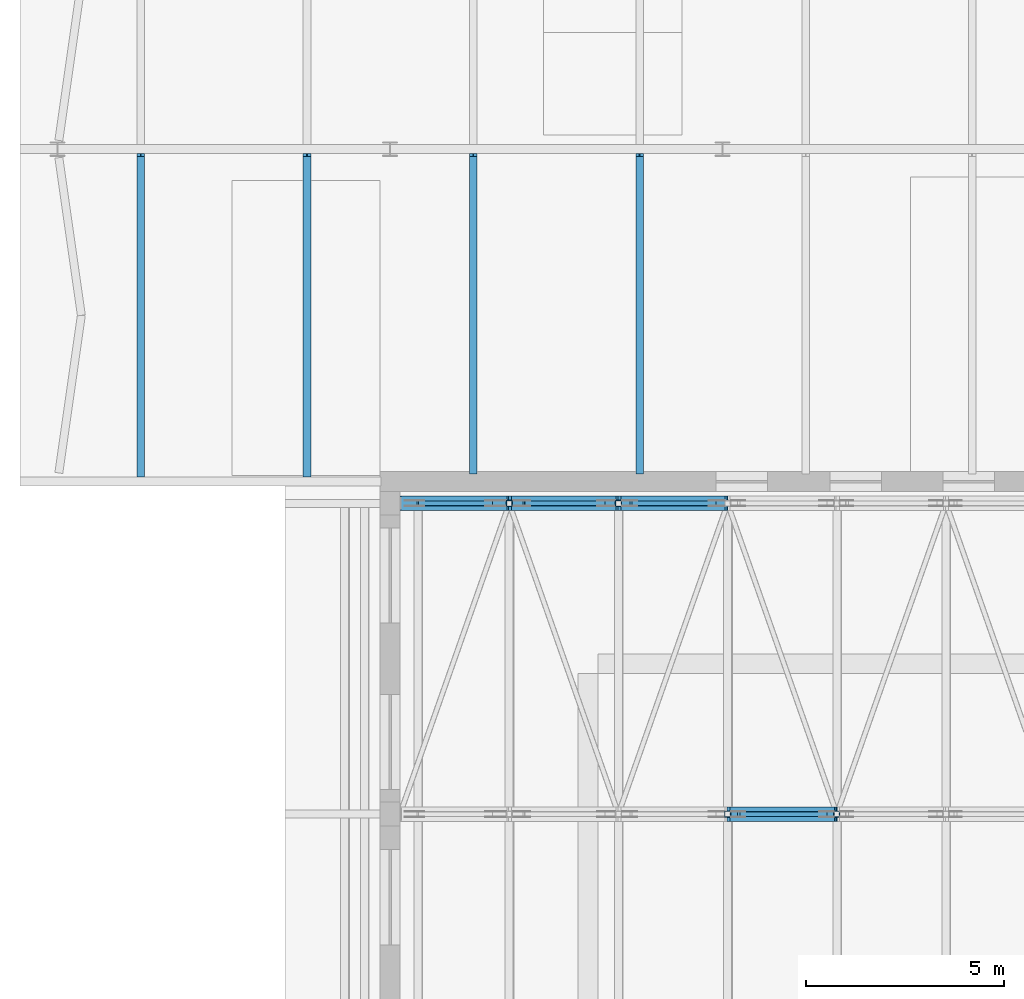
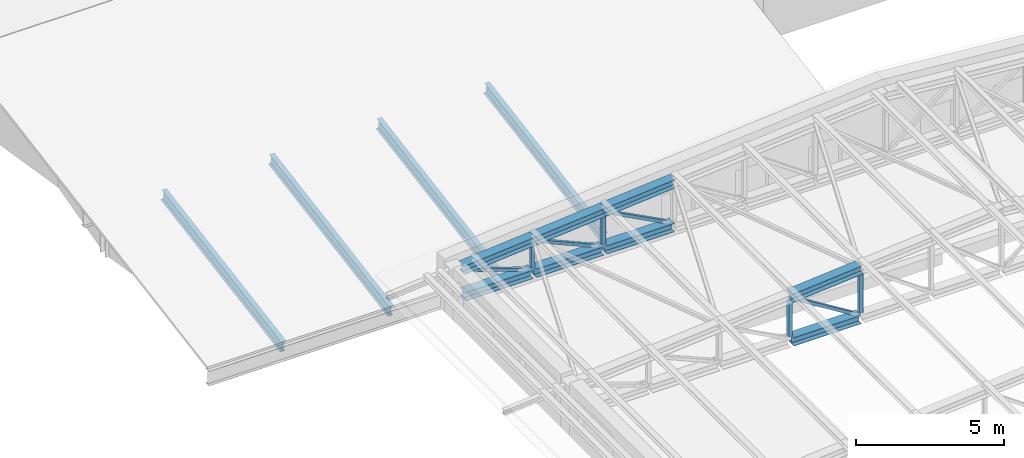
# One storey, part 17 of 60: 16 members, 4 beams.
"""IFC4 building model written with IfcOpenShell, lengths in metres."""

import ifcopenshell
import ifcopenshell.guid

model = None  # the IFC model being written
_history = None  # IfcOwnerHistory: only IFC2X3 demands one
_inside = {}  # id of a spatial element -> (the spatial element, [elements in it])
_under = {}  # id of a project, library or spatial element -> (it, [spatial elements below it])
_declared = {}  # id of a project -> (the project, [libraries it declares])
_typed = {}  # id of a type object -> (the type object, [elements of that type])
_made_of = {}  # id of a material, layer set ... -> (it, [elements and type objects made of it])


def new_model(schema):
    """Start an empty IFC model of exactly this schema.

    Asked for "IFC4X3", IfcOpenShell would pick the latest addendum, in which some entities
    have other attributes; the version numbers below select the first issue.
    IFC2X3 requires an IfcOwnerHistory on every rooted entity: one is made here for all.
    """
    global model, _history
    if schema == "IFC4X3":
        model = ifcopenshell.file(schema_version=(4, 3, 0, 0))
    else:
        model = ifcopenshell.file(schema=schema)
    _inside.clear()
    _under.clear()
    _declared.clear()
    _typed.clear()
    _made_of.clear()
    _history = None
    if model.schema == "IFC2X3":
        org = make("IfcOrganization", Name="unknown")
        user = make(
            "IfcPersonAndOrganization",
            ThePerson=make("IfcPerson", FamilyName="unknown"),
            TheOrganization=org,
        )
        app = make(
            "IfcApplication",
            ApplicationDeveloper=org,
            Version="unknown",
            ApplicationFullName="unknown",
            ApplicationIdentifier="unknown",
        )
        _history = make(
            "IfcOwnerHistory",
            OwningUser=user,
            OwningApplication=app,
            ChangeAction="ADDED",
            CreationDate=0,
        )
    return model


def make(cls, **values):
    """One entity of the class cls with the attributes given. An attribute that is None is left unset."""
    return model.create_entity(
        cls, **{name: value for name, value in values.items() if value is not None}
    )


def rooted(cls, **values):
    """An entity with a GlobalId (a new one), such as an element, a storey or a relation."""
    return make(cls, GlobalId=ifcopenshell.guid.new(), OwnerHistory=_history, **values)


def si_unit(unit_type, name, prefix=None):
    """IfcSIUnit, for example si_unit("LENGTHUNIT", "METRE", prefix="MILLI")."""
    return make("IfcSIUnit", UnitType=unit_type, Prefix=prefix, Name=name)


def assignment(units):
    """IfcUnitAssignment: the units of a project."""
    return None if units is None else make("IfcUnitAssignment", Units=units)


def point(xyz):
    """IfcCartesianPoint."""
    return None if xyz is None else make("IfcCartesianPoint", Coordinates=xyz)


def direction(xyz):
    """IfcDirection."""
    return None if xyz is None else make("IfcDirection", DirectionRatios=xyz)


def frame(location, z_axis=None, x_axis=None):
    """IfcAxis2Placement3D, a coordinate frame: its origin and axes. An axis left out is left unset."""
    return make(
        "IfcAxis2Placement3D",
        Location=point(location),
        Axis=direction(z_axis),
        RefDirection=direction(x_axis),
    )


def frame_2d(location, x_axis=None):
    """IfcAxis2Placement2D, a coordinate frame in the plane: its origin and x axis."""
    return make(
        "IfcAxis2Placement2D", Location=point(location), RefDirection=direction(x_axis)
    )


def origin():
    """The frame at (0, 0, 0) with its axes left unset."""
    return frame((0.0, 0.0, 0.0))


def origin_2d():
    """The frame at (0, 0) in the plane with its x axis left unset."""
    return frame_2d((0.0, 0.0))


def place(relative_to, where):
    """IfcLocalPlacement: puts the frame where relative to a parent placement (None: the world)."""
    return make(
        "IfcLocalPlacement", PlacementRelTo=relative_to, RelativePlacement=where
    )


def context(
    kind, dimensions, precision=None, world=None, true_north=None, identifier=None
):
    """IfcGeometricRepresentationContext, for example the 3D "Model" context."""
    return make(
        "IfcGeometricRepresentationContext",
        ContextIdentifier=identifier,
        ContextType=kind,
        CoordinateSpaceDimension=dimensions,
        Precision=precision,
        WorldCoordinateSystem=world,
        TrueNorth=true_north,
    )


def subcontext(parent, identifier, kind, view, scale=None):
    """IfcGeometricRepresentationSubContext, for example "Body" below "Model"."""
    return make(
        "IfcGeometricRepresentationSubContext",
        ContextIdentifier=identifier,
        ContextType=kind,
        ParentContext=parent,
        TargetScale=scale,
        TargetView=view,
    )


def project(units=None, contexts=None):
    """IfcProject with its units and contexts."""
    return rooted(
        "IfcProject",
        Name="project",
        RepresentationContexts=contexts,
        UnitsInContext=assignment(units),
    )


def spatial(cls, under=None, at=None, **own):
    """A site, building, storey or space (cls), placed at a placement, below another one or the project."""
    s = rooted(cls, ObjectPlacement=at, **own)
    if under is not None:
        _under.setdefault(under.id(), (under, []))[1].append(s)
    return s


def profile(cls, at=None, kind="AREA", **sizes):
    """A parametric profile (cls). Its sizes go by their IFC names, for example OverallWidth=200.0."""
    return make(cls, ProfileType=kind, Position=at, **sizes)


def hollow_rectangle(**sizes):
    """IfcRectangleHollowProfileDef."""
    return profile("IfcRectangleHollowProfileDef", **sizes)


def i_section(**sizes):
    """IfcIShapeProfileDef."""
    return profile("IfcIShapeProfileDef", **sizes)


def extrude(swept, where, along, depth):
    """IfcExtrudedAreaSolid: the profile swept, set in the frame where, extruded along a direction by depth."""
    return make(
        "IfcExtrudedAreaSolid",
        SweptArea=swept,
        Position=where,
        ExtrudedDirection=direction(along),
        Depth=depth,
    )


def shape(context_of_items, identifier, shape_type, items):
    """IfcShapeRepresentation: the items that make up one representation, for example the "Body"."""
    return make(
        "IfcShapeRepresentation",
        ContextOfItems=context_of_items,
        RepresentationIdentifier=identifier,
        RepresentationType=shape_type,
        Items=items,
    )


def material(Name=None, Category=None):
    """IfcMaterial."""
    return make("IfcMaterial", Name=Name, Category=Category)


def material_profile(
    of_material, cross_section, Name=None, Category=None, Priority=None
):
    """IfcMaterialProfile: a cross section and its material."""
    return make(
        "IfcMaterialProfile",
        Name=Name,
        Material=of_material,
        Profile=cross_section,
        Priority=Priority,
        Category=Category,
    )


def profile_set(profiles, Name=None, composite=None):
    """IfcMaterialProfileSet."""
    return make(
        "IfcMaterialProfileSet",
        Name=Name,
        MaterialProfiles=profiles,
        CompositeProfile=composite,
    )


def made_of(thing, what):
    """Note that an element or type object is made of a material, layer set ...; save() writes the relation."""
    if what is not None:
        _made_of.setdefault(what.id(), (what, []))[1].append(thing)
    return thing


def type_object(cls, material=None, **own):
    """A type object (cls), such as IfcWallType, which elements share."""
    return made_of(rooted(cls, **own), material)


def element(
    cls,
    number,
    at=None,
    inside=None,
    cuts=None,
    type_object=None,
    material=None,
    context=None,
    identifier="Body",
    shape_type=None,
    held_by="IfcProductDefinitionShape",
    body=None,
    shapes=None,
    **own,
):
    """One element of the class cls, such as IfcWall. Its Tag is "e" and its number.

    at: its placement. inside: the storey or other place that contains it. cuts: it is an
    opening in that element (IfcRelVoidsElement). A single representation is given by context,
    identifier, shape_type and body (its items); several are given by shapes. held_by: the class
    of the entity that holds the representations. save() writes the other relations.
    """
    e = rooted(cls, Tag="e%d" % number, ObjectPlacement=at, **own)
    if body is not None:
        shapes = [shape(context, identifier, shape_type, body)]
    if shapes is not None:
        e.Representation = make(held_by, Representations=shapes)
    if inside is not None:
        _inside.setdefault(inside.id(), (inside, []))[1].append(e)
    if cuts is not None:
        rooted(
            "IfcRelVoidsElement", RelatingBuildingElement=cuts, RelatedOpeningElement=e
        )
    if type_object is not None:
        _typed.setdefault(type_object.id(), (type_object, []))[1].append(e)
    return made_of(e, material)


def aggregate(whole, parts):
    """IfcRelAggregates: a whole, such as a stair, and the parts it consists of."""
    return rooted("IfcRelAggregates", RelatingObject=whole, RelatedObjects=parts)


def save(model, path):
    """Write the relations noted so far, then the file.

    IfcRelAggregates (storeys below a building ...), IfcRelContainedInSpatialStructure (elements
    in a storey), IfcRelDefinesByType, IfcRelAssociatesMaterial and IfcRelDeclares: one each for
    every whole, place, type object, material and project.
    """
    for whole, parts in _under.values():
        aggregate(whole, parts)
    for where, things in _inside.values():
        rooted(
            "IfcRelContainedInSpatialStructure",
            RelatedElements=things,
            RelatingStructure=where,
        )
    for kind, things in _typed.values():
        rooted("IfcRelDefinesByType", RelatedObjects=things, RelatingType=kind)
    for what, things in _made_of.values():
        rooted("IfcRelAssociatesMaterial", RelatedObjects=things, RelatingMaterial=what)
    for by, libraries in _declared.values():
        rooted("IfcRelDeclares", RelatingContext=by, RelatedDefinitions=libraries)
    model.write(path)


model = new_model("IFC4")

# Units and contexts
model_context = context("Model", 3, precision=1e-05, world=origin(), true_north=direction((0.0, 1.0)))
body_context = subcontext(model_context, "Body", "Model", "MODEL_VIEW")
ifc_project = project(units=[si_unit("LENGTHUNIT", "METRE"), si_unit("AREAUNIT", "SQUARE_METRE"), si_unit("VOLUMEUNIT", "CUBIC_METRE"), si_unit("PLANEANGLEUNIT", "RADIAN"), si_unit("MASSUNIT", "GRAM", prefix="KILO")], contexts=[model_context])

# Site, building, storey
site_placement = place(None, origin())
site = spatial("IfcSite", under=ifc_project, at=site_placement, CompositionType="ELEMENT")
building_placement = place(site_placement, origin())
building = spatial("IfcBuilding", under=site, at=building_placement, Name="Ljudholm Concert House", CompositionType="ELEMENT")
storey_placement = place(building_placement, frame((0.0, 0.0, 15.0)))
storey = spatial("IfcBuildingStorey", under=building, at=storey_placement, Name="L03", CompositionType="ELEMENT", Elevation=15.0)

# Beams
ifc_material_1 = material(Name="Steel ASTM A992", Category="steel")
ifc_material_profile_1 = material_profile(ifc_material_1, i_section(OverallWidth=0.1904296875, OverallDepth=0.457275390625, WebThickness=0.009033203125, FlangeThickness=0.014404296875, FilletRadius=0.01025390625, at=origin_2d()), Name="W18X50")
ifc_profile_set_1 = profile_set([ifc_material_profile_1], Name="Steel ASTM A992")
beam_type = type_object("IfcBeamType", Name="STEEL BEAM W18X50", PredefinedType="BEAM", material=ifc_profile_set_1)
for number, where, z_axis, x_axis, name in (
    (1, (6.10009765625, 46.15283203125, 0.4248046875), (0.0, 0.985739432849, 0.168278847532), (-1.0, 0.0, 0.0), "Roof rafter"),
    (2, (10.300048828125, 46.15283203125, 0.4248046875), (0.0, 0.985739432849, 0.168278847532), (-1.0, 0.0, 0.0), "Roof rafter"),
):
    element("IfcBeam", number, at=place(storey_placement, frame(where, z_axis=z_axis, x_axis=x_axis)), inside=storey, type_object=beam_type, Name=name, PredefinedType="BEAM", context=body_context, shape_type="SweptSolid", body=[
        extrude(i_section(OverallWidth=0.1904296875, OverallDepth=0.457275390625, WebThickness=0.009033203125, FlangeThickness=0.014404296875, FilletRadius=0.01025390625, at=origin_2d()), origin(), (0.0, 0.0, 1.0), 8.211669921875),
    ])
for number, where, z_axis, x_axis, name in (
    (3, (14.5, 46.22509765625, 0.43701171875), (0.0, 0.985736789658, 0.168294330016), (-1.0, 0.0, 0.0), "Roof rafter"),
    (4, (18.699951171875, 46.22509765625, 0.43701171875), (0.0, 0.985736789658, 0.168294330016), (-1.0, 0.0, 0.0), "Roof rafter"),
):
    element("IfcBeam", number, at=place(storey_placement, frame(where, z_axis=z_axis, x_axis=x_axis)), inside=storey, type_object=beam_type, Name=name, PredefinedType="BEAM", context=body_context, shape_type="SweptSolid", body=[
        extrude(i_section(OverallWidth=0.1904296875, OverallDepth=0.457275390625, WebThickness=0.009033203125, FlangeThickness=0.014404296875, FilletRadius=0.01025390625, at=origin_2d()), origin(), (0.0, 0.0, 1.0), 8.13818359375),
    ])

# Members
ifc_material_2 = material(Name="Steel ASTM A500 Gr. C", Category="steel")
ifc_material_profile_2 = material_profile(ifc_material_2, hollow_rectangle(XDim=0.126953125, YDim=0.126953125, WallThickness=0.00732421875, InnerFilletRadius=0.003662109375, OuterFilletRadius=0.010986328125, at=origin_2d()), Name="HSS5X5X5/16")
ifc_profile_set_2 = profile_set([ifc_material_profile_2], Name="Steel ASTM A500 Gr. C")
member_type_1 = type_object("IfcMemberType", Name="STEEL MEMBER HSS5X5X5/16 BRACE", PredefinedType="BRACE", material=ifc_profile_set_2)
member_1_placement = place(storey_placement, frame((21.20947265625, 37.60009765625, 2.2841796875), z_axis=(0.850800492384, 0.0, -0.525488841137), x_axis=(0.0, 1.0, 0.0)))
element("IfcMember", 5, at=member_1_placement, inside=storey, type_object=member_type_1, Name="Roof truss T5 diagonal", PredefinedType="BRACE", context=body_context, shape_type="SweptSolid", body=[
    extrude(hollow_rectangle(XDim=0.126953125, YDim=0.126953125, WallThickness=0.00732421875, InnerFilletRadius=0.003662109375, OuterFilletRadius=0.010986328125, at=origin_2d()), origin(), (0.0, 0.0, 1.0), 2.573486328125),
])
member_2_placement = place(storey_placement, frame((13.093994140625, 45.449951171875, 1.58447265625), z_axis=(0.945096021447, 0.0, -0.326792763453), x_axis=(0.0, 1.0, 0.0)))
element("IfcMember", 6, at=member_2_placement, inside=storey, type_object=member_type_1, Name="Roof truss T6 diagonal", PredefinedType="BRACE", context=body_context, shape_type="SweptSolid", body=[
    extrude(hollow_rectangle(XDim=0.126953125, YDim=0.126953125, WallThickness=0.00732421875, InnerFilletRadius=0.003662109375, OuterFilletRadius=0.010986328125, at=origin_2d()), origin(), (0.0, 0.0, 1.0), 1.97900390625),
])
member_3_placement = place(storey_placement, frame((15.777099609375, 45.449951171875, 1.816650390625), z_axis=(0.916733409918, 0.0, -0.399499505808), x_axis=(0.0, 1.0, 0.0)))
element("IfcMember", 7, at=member_3_placement, inside=storey, type_object=member_type_1, Name="Roof truss T6 diagonal", PredefinedType="BRACE", context=body_context, shape_type="SweptSolid", body=[
    extrude(hollow_rectangle(XDim=0.126953125, YDim=0.126953125, WallThickness=0.00732421875, InnerFilletRadius=0.003662109375, OuterFilletRadius=0.010986328125, at=origin_2d()), origin(), (0.0, 0.0, 1.0), 2.204345703125),
])
member_4_placement = place(storey_placement, frame((18.48583984375, 45.449951171875, 2.050048828125), z_axis=(0.884876217226, 0.0, -0.465826233898), x_axis=(0.0, 1.0, 0.0)))
element("IfcMember", 8, at=member_4_placement, inside=storey, type_object=member_type_1, Name="Roof truss T6 diagonal", PredefinedType="BRACE", context=body_context, shape_type="SweptSolid", body=[
    extrude(hollow_rectangle(XDim=0.126953125, YDim=0.126953125, WallThickness=0.00732421875, InnerFilletRadius=0.003662109375, OuterFilletRadius=0.010986328125, at=origin_2d()), origin(), (0.0, 0.0, 1.0), 2.395751953125),
])
ifc_material_3 = material(Name="Steel ASTM A500 Gr. C", Category="steel")
ifc_material_profile_3 = material_profile(ifc_material_3, hollow_rectangle(XDim=0.15234375, YDim=0.15234375, WallThickness=0.0087890625, InnerFilletRadius=0.00439453125, OuterFilletRadius=0.01318359375, at=origin_2d()), Name="HSS6X6X3/8")
ifc_profile_set_3 = profile_set([ifc_material_profile_3], Name="Steel ASTM A500 Gr. C")
member_type_2 = type_object("IfcMemberType", Name="STEEL MEMBER HSS6X6X3/8 POST", PredefinedType="POST", material=ifc_profile_set_3)
member_5_placement = place(storey_placement, frame((20.925048828125, 37.60009765625, 0.877685546875), z_axis=(0.0, 0.0, 1.0), x_axis=(1.0, 0.0, 0.0)))
element("IfcMember", 9, at=member_5_placement, inside=storey, type_object=member_type_2, Name="Roof truss T5 post", PredefinedType="POST", context=body_context, shape_type="SweptSolid", body=[
    extrude(hollow_rectangle(XDim=0.15234375, YDim=0.15234375, WallThickness=0.0087890625, InnerFilletRadius=0.00439453125, OuterFilletRadius=0.01318359375, at=origin_2d()), origin(), (0.0, 0.0, 1.0), 1.44384765625),
])
member_6_placement = place(storey_placement, frame((23.683349609375, 37.60009765625, 0.877685546875), z_axis=(0.0, 0.0, 1.0), x_axis=(1.0, 0.0, 0.0)))
element("IfcMember", 10, at=member_6_placement, inside=storey, type_object=member_type_2, Name="Roof truss T5 post", PredefinedType="POST", context=body_context, shape_type="SweptSolid", body=[
    extrude(hollow_rectangle(XDim=0.15234375, YDim=0.15234375, WallThickness=0.0087890625, InnerFilletRadius=0.00439453125, OuterFilletRadius=0.01318359375, at=origin_2d()), origin(), (0.0, 0.0, 1.0), 1.67724609375),
])
member_7_placement = place(storey_placement, frame((15.408447265625, 45.449951171875, 0.877685546875), z_axis=(0.0, 0.0, 1.0), x_axis=(1.0, 0.0, 0.0)))
element("IfcMember", 11, at=member_7_placement, inside=storey, type_object=member_type_2, Name="Roof truss T6 post", PredefinedType="POST", context=body_context, shape_type="SweptSolid", body=[
    extrude(hollow_rectangle(XDim=0.15234375, YDim=0.15234375, WallThickness=0.0087890625, InnerFilletRadius=0.00439453125, OuterFilletRadius=0.01318359375, at=origin_2d()), origin(), (0.0, 0.0, 1.0), 0.977294921875),
])
member_8_placement = place(storey_placement, frame((18.166748046875, 45.449951171875, 0.877685546875), z_axis=(0.0, 0.0, 1.0), x_axis=(1.0, 0.0, 0.0)))
element("IfcMember", 12, at=member_8_placement, inside=storey, type_object=member_type_2, Name="Roof truss T6 post", PredefinedType="POST", context=body_context, shape_type="SweptSolid", body=[
    extrude(hollow_rectangle(XDim=0.15234375, YDim=0.15234375, WallThickness=0.0087890625, InnerFilletRadius=0.00439453125, OuterFilletRadius=0.01318359375, at=origin_2d()), origin(), (0.0, 0.0, 1.0), 1.21044921875),
])
ifc_material_4 = material(Name="Steel ASTM A992", Category="steel")
ifc_material_profile_4 = material_profile(ifc_material_4, i_section(OverallWidth=0.368408203125, OverallDepth=0.355712890625, WebThickness=0.01123046875, FlangeThickness=0.01806640625, FilletRadius=0.01513671875, at=origin_2d()), Name="W14X90")
ifc_profile_set_4 = profile_set([ifc_material_profile_4], Name="Steel ASTM A992")
member_type_3 = type_object("IfcMemberType", Name="STEEL MEMBER W14X90 CHORD", PredefinedType="CHORD", material=ifc_profile_set_4)
member_9_placement = place(storey_placement, frame((20.925048828125, 37.60009765625, 2.5), z_axis=(0.996439113695, 0.0, 0.084315435714), x_axis=(0.0, 1.0, 0.0)))
element("IfcMember", 13, at=member_9_placement, inside=storey, type_object=member_type_3, Name="Roof truss T5 top chord", PredefinedType="CHORD", context=body_context, shape_type="SweptSolid", body=[
    extrude(i_section(OverallWidth=0.368408203125, OverallDepth=0.355712890625, WebThickness=0.01123046875, FlangeThickness=0.01806640625, FilletRadius=0.01513671875, at=origin_2d()), origin(), (0.0, 0.0, 1.0), 2.76806640625),
])
member_10_placement = place(storey_placement, frame((20.987060546875, 37.60009765625, 0.699951171875), z_axis=(1.0, 0.0, 0.0), x_axis=(0.0, 1.0, 0.0)))
element("IfcMember", 14, at=member_10_placement, inside=storey, type_object=member_type_3, Name="Roof truss T5 bottom chord", PredefinedType="CHORD", context=body_context, shape_type="SweptSolid", body=[
    extrude(i_section(OverallWidth=0.368408203125, OverallDepth=0.355712890625, WebThickness=0.01123046875, FlangeThickness=0.01806640625, FilletRadius=0.01513671875, at=origin_2d()), origin(), (0.0, 0.0, 1.0), 2.63427734375),
])
member_11_placement = place(storey_placement, frame((12.64990234375, 45.449951171875, 1.800048828125), z_axis=(0.996439740606, 0.0, 0.084308026553), x_axis=(0.0, 1.0, 0.0)))
element("IfcMember", 15, at=member_11_placement, inside=storey, type_object=member_type_3, Name="Roof truss T6 top chord", PredefinedType="CHORD", context=body_context, shape_type="SweptSolid", body=[
    extrude(i_section(OverallWidth=0.368408203125, OverallDepth=0.355712890625, WebThickness=0.01123046875, FlangeThickness=0.01806640625, FilletRadius=0.01513671875, at=origin_2d()), origin(), (0.0, 0.0, 1.0), 2.768310546875),
])
member_12_placement = place(storey_placement, frame((12.679931640625, 45.449951171875, 0.699951171875), z_axis=(1.0, 0.0, 0.0), x_axis=(0.0, 1.0, 0.0)))
element("IfcMember", 16, at=member_12_placement, inside=storey, type_object=member_type_3, Name="Roof truss T6 bottom chord", PredefinedType="CHORD", context=body_context, shape_type="SweptSolid", body=[
    extrude(i_section(OverallWidth=0.368408203125, OverallDepth=0.355712890625, WebThickness=0.01123046875, FlangeThickness=0.01806640625, FilletRadius=0.01513671875, at=origin_2d()), origin(), (0.0, 0.0, 1.0), 2.66650390625),
])
member_13_placement = place(storey_placement, frame((15.408447265625, 45.449951171875, 2.033447265625), z_axis=(0.996446519711, 0.0, 0.084227865669), x_axis=(0.0, 1.0, 0.0)))
element("IfcMember", 17, at=member_13_placement, inside=storey, type_object=member_type_3, Name="Roof truss T6 top chord", PredefinedType="CHORD", context=body_context, shape_type="SweptSolid", body=[
    extrude(i_section(OverallWidth=0.368408203125, OverallDepth=0.355712890625, WebThickness=0.01123046875, FlangeThickness=0.01806640625, FilletRadius=0.01513671875, at=origin_2d()), origin(), (0.0, 0.0, 1.0), 2.76806640625),
])
member_14_placement = place(storey_placement, frame((15.47021484375, 45.449951171875, 0.699951171875), z_axis=(1.0, 0.0, 0.0), x_axis=(0.0, 1.0, 0.0)))
element("IfcMember", 18, at=member_14_placement, inside=storey, type_object=member_type_3, Name="Roof truss T6 bottom chord", PredefinedType="CHORD", context=body_context, shape_type="SweptSolid", body=[
    extrude(i_section(OverallWidth=0.368408203125, OverallDepth=0.355712890625, WebThickness=0.01123046875, FlangeThickness=0.01806640625, FilletRadius=0.01513671875, at=origin_2d()), origin(), (0.0, 0.0, 1.0), 2.634521484375),
])
member_15_placement = place(storey_placement, frame((18.166748046875, 45.449951171875, 2.2666015625), z_axis=(0.996439113695, 0.0, 0.084315435714), x_axis=(0.0, 1.0, 0.0)))
element("IfcMember", 19, at=member_15_placement, inside=storey, type_object=member_type_3, Name="Roof truss T6 top chord", PredefinedType="CHORD", context=body_context, shape_type="SweptSolid", body=[
    extrude(i_section(OverallWidth=0.368408203125, OverallDepth=0.355712890625, WebThickness=0.01123046875, FlangeThickness=0.01806640625, FilletRadius=0.01513671875, at=origin_2d()), origin(), (0.0, 0.0, 1.0), 2.76806640625),
])
member_16_placement = place(storey_placement, frame((18.228759765625, 45.449951171875, 0.699951171875), z_axis=(1.0, 0.0, 0.0), x_axis=(0.0, 1.0, 0.0)))
element("IfcMember", 20, at=member_16_placement, inside=storey, type_object=member_type_3, Name="Roof truss T6 bottom chord", PredefinedType="CHORD", context=body_context, shape_type="SweptSolid", body=[
    extrude(i_section(OverallWidth=0.368408203125, OverallDepth=0.355712890625, WebThickness=0.01123046875, FlangeThickness=0.01806640625, FilletRadius=0.01513671875, at=origin_2d()), origin(), (0.0, 0.0, 1.0), 2.63427734375),
])

save(model, "model.ifc")
